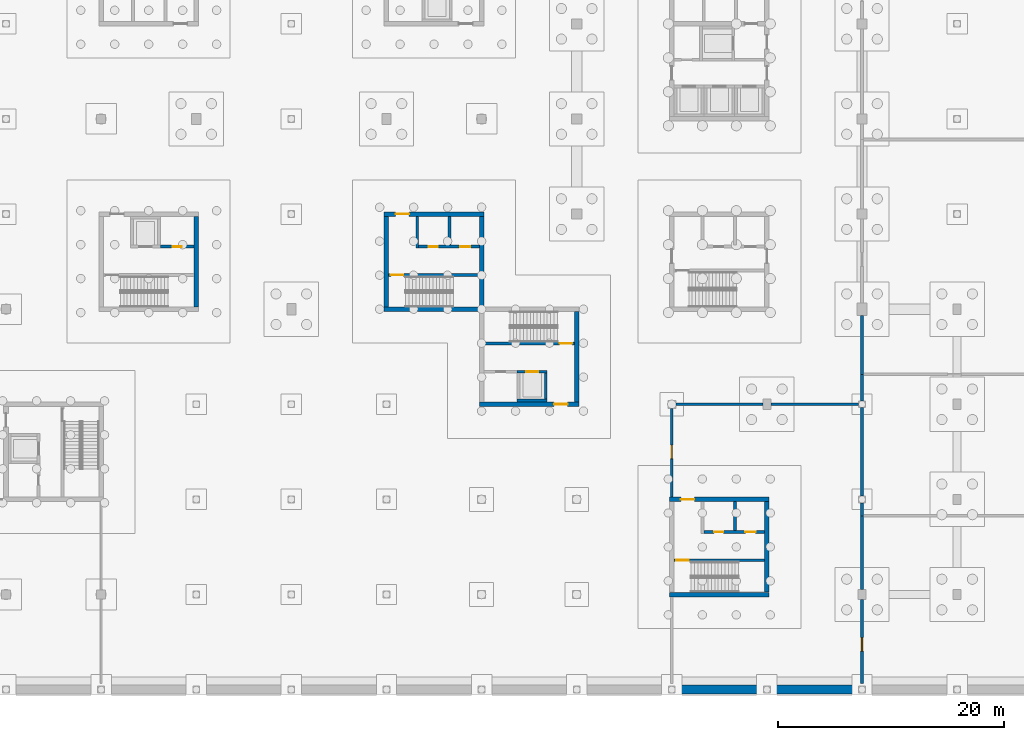
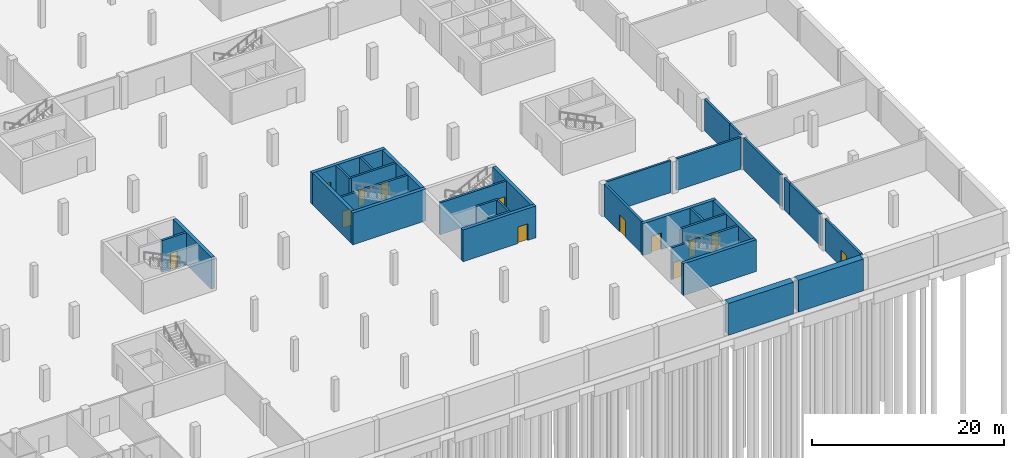
# One storey, part 12 of 23: 33 walls, 14 doors, 14 openings.
"""IFC4 building model written with IfcOpenShell, lengths in metres."""

from ifc_helpers import new_model, si_unit, direction, frame, frame_2d, origin, place, context, subcontext, project, spatial, rectangle, extrude, material, layer, layer_set, type_object, element, fill, save


model = new_model("IFC4")

# Units and contexts
model_context = context("Model", 3, precision=1e-05, world=origin(), true_north=direction((0.0, 1.0)))
body_context = subcontext(model_context, "Body", "Model", "MODEL_VIEW")
ifc_project = project(units=[si_unit("LENGTHUNIT", "METRE"), si_unit("AREAUNIT", "SQUARE_METRE"), si_unit("VOLUMEUNIT", "CUBIC_METRE"), si_unit("PLANEANGLEUNIT", "RADIAN"), si_unit("MASSUNIT", "GRAM", prefix="KILO")], contexts=[model_context])

# Site, building, storey
site_placement = place(None, origin())
site = spatial("IfcSite", under=ifc_project, at=site_placement, CompositionType="ELEMENT")
building_placement = place(site_placement, origin())
building = spatial("IfcBuilding", under=site, at=building_placement, Name="Hlaing Beacon Police Headquarters", CompositionType="ELEMENT")
storey_placement = place(building_placement, frame((0.0, 0.0, -4.5)))
storey = spatial("IfcBuildingStorey", under=building, at=storey_placement, Name="B1", CompositionType="ELEMENT", Elevation=-4.5)

# Walls
ifc_material_1 = material(Name="Concrete C60/75", Category="concrete")
ifc_layer_1 = layer(ifc_material_1, 0.39990234375)
ifc_layer_set_1 = layer_set([ifc_layer_1], Name="Concrete C60/75")
wall_type_1 = type_object("IfcWallType", Name="Core shear wall 400", PredefinedType="SHEAR", material=ifc_layer_set_1)
wall_1_placement = place(storey_placement, frame((67.199951171875, 33.800048828125, 0.0), z_axis=(0.0, 0.0, 1.0), x_axis=(0.0, 1.0, 0.0)))
element("IfcWall", 1, at=wall_1_placement, inside=storey, type_object=wall_type_1, Name="Core shear wall", PredefinedType="SHEAR", context=body_context, shape_type="SweptSolid", body=[
    extrude(rectangle(XDim=8.0, YDim=0.39990234375, at=frame_2d((4.0, 0.0))), origin(), (0.0, 0.0, 1.0), 4.050048828125),
])
wall_2_placement = place(storey_placement, frame((83.800048828125, 33.60009765625, 0.0), z_axis=(0.0, 0.0, 1.0), x_axis=(1.0, 0.0, 0.0)))
element("IfcWall", 2, at=wall_2_placement, inside=storey, type_object=wall_type_1, Name="Core shear wall", PredefinedType="SHEAR", context=body_context, shape_type="SweptSolid", body=[
    extrude(rectangle(XDim=8.800048828125, YDim=0.39990234375, at=frame_2d((4.39990234375, 0.0))), origin(), (0.0, 0.0, 1.0), 4.050048828125),
])

# Wall, opening, door
wall_3_placement = place(storey_placement, frame((83.800048828125, 42.0, 0.0), z_axis=(0.0, 0.0, 1.0), x_axis=(1.0, 0.0, 0.0)))
wall_3 = element("IfcWall", 3, at=wall_3_placement, inside=storey, type_object=wall_type_1, Name="Core shear wall", PredefinedType="SHEAR", context=body_context, shape_type="SweptSolid", body=[
    extrude(rectangle(XDim=8.800048828125, YDim=0.39990234375, at=frame_2d((4.39990234375, 0.0))), origin(), (0.0, 0.0, 1.0), 4.050048828125),
])
opening_1_placement = place(wall_3_placement, frame((1.0, 0.0, 0.0)))
opening_1 = element("IfcOpeningElement", 4, at=opening_1_placement, cuts=wall_3, Name="Opening B1-909", PredefinedType="OPENING", context=body_context, shape_type="SweptSolid", body=[
    extrude(rectangle(XDim=1.199951171875, YDim=2.10009765625, at=frame_2d((0.60009765625, 1.050048828125))), frame((0.0, 0.2099609375, 0.0), z_axis=(0.0, -1.0, 0.0), x_axis=(1.0, 0.0, 0.0)), (0.0, 0.0, 1.0), 0.419921875),
])
ifc_material_2 = material(Name="Steel fire door leaf", Category="steel")
ifc_layer_2 = layer(ifc_material_2, 0.070068359375)
ifc_layer_set_2 = layer_set([ifc_layer_2], Name="Steel fire door leaf")
door_type_1 = type_object("IfcDoorType", Name="Steel fire door FD60S 1200x2100", OperationType="SINGLE_SWING_LEFT", PredefinedType="DOOR", material=ifc_layer_set_2)
door_1_placement = place(opening_1_placement, frame((1.199951171875, 0.0, 0.0), z_axis=(0.0, 0.0, 1.0), x_axis=(-1.0, 0.0, 0.0)))
door_1 = element("IfcDoor", 5, at=door_1_placement, inside=storey, type_object=door_type_1, Name="Door Stair Lobby ST-C Entry", OperationType="SINGLE_SWING_RIGHT", OverallHeight=2.10009765625, OverallWidth=1.199951171875, PredefinedType="DOOR", context=body_context, shape_type="SweptSolid", body=[
    extrude(rectangle(XDim=1.199951171875, YDim=2.10009765625, at=frame_2d((0.599853515625, 1.050048828125))), frame((0.0, 0.034912109375, 0.0), z_axis=(0.0, -1.0, 0.0), x_axis=(1.0, 0.0, 0.0)), (0.0, 0.0, 1.0), 0.070068359375),
])
fill(opening_1, door_1)

# Walls
for number, where, z_axis, x_axis, name in (
    (6, (84.0, 33.800048828125, 0.0), (0.0, 0.0, 1.0), (0.0, 1.0, 0.0), "Core shear wall"),
    (7, (92.39990234375, 33.800048828125, 0.0), (0.0, 0.0, 1.0), (0.0, 1.0, 0.0), "Core shear wall"),
):
    element("IfcWall", number, at=place(storey_placement, frame(where, z_axis=z_axis, x_axis=x_axis)), inside=storey, type_object=wall_type_1, Name=name, PredefinedType="SHEAR", context=body_context, shape_type="SweptSolid", body=[
        extrude(rectangle(XDim=8.0, YDim=0.39990234375, at=frame_2d((4.0, 0.0))), origin(), (0.0, 0.0, 1.0), 4.050048828125),
    ])

# Wall, opening, door
wall_4_placement = place(storey_placement, frame((92.199951171875, 25.199951171875, 0.0), z_axis=(0.0, 0.0, 1.0), x_axis=(1.0, 0.0, 0.0)))
wall_4 = element("IfcWall", 8, at=wall_4_placement, inside=storey, type_object=wall_type_1, Name="Core shear wall", PredefinedType="SHEAR", context=body_context, shape_type="SweptSolid", body=[
    extrude(rectangle(XDim=8.800048828125, YDim=0.39990234375, at=frame_2d((4.39990234375, 0.0))), origin(), (0.0, 0.0, 1.0), 4.050048828125),
])
opening_2_placement = place(wall_4_placement, frame((6.60009765625, 0.0, 0.0)))
opening_2 = element("IfcOpeningElement", 9, at=opening_2_placement, cuts=wall_4, Name="Opening B1-922", PredefinedType="OPENING", context=body_context, shape_type="SweptSolid", body=[
    extrude(rectangle(XDim=1.199951171875, YDim=2.10009765625, at=frame_2d((0.60009765625, 1.050048828125))), frame((0.0, 0.2099609375, 0.0), z_axis=(0.0, -1.0, 0.0), x_axis=(1.0, 0.0, 0.0)), (0.0, 0.0, 1.0), 0.419921875),
])
door_2_placement = place(opening_2_placement, origin())
door_2 = element("IfcDoor", 10, at=door_2_placement, inside=storey, type_object=door_type_1, Name="Door Lift and Stair Lobby ST-G Entry", OperationType="SINGLE_SWING_RIGHT", OverallHeight=2.10009765625, OverallWidth=1.199951171875, PredefinedType="DOOR", context=body_context, shape_type="SweptSolid", body=[
    extrude(rectangle(XDim=1.199951171875, YDim=2.10009765625, at=frame_2d((0.60009765625, 1.050048828125))), frame((0.0, 0.03515625, 0.0), z_axis=(0.0, -1.0, 0.0), x_axis=(1.0, 0.0, 0.0)), (0.0, 0.0, 1.0), 0.070068359375),
])
fill(opening_2, door_2)

# Walls
wall_5_placement = place(storey_placement, frame((100.800048828125, 25.39990234375, 0.0), z_axis=(0.0, 0.0, 1.0), x_axis=(0.0, 1.0, 0.0)))
element("IfcWall", 11, at=wall_5_placement, inside=storey, type_object=wall_type_1, Name="Core shear wall", PredefinedType="SHEAR", context=body_context, shape_type="SweptSolid", body=[
    extrude(rectangle(XDim=8.0, YDim=0.39990234375, at=frame_2d((4.0, 0.0))), origin(), (0.0, 0.0, 1.0), 4.050048828125),
])
wall_6_placement = place(storey_placement, frame((109.0, 8.39990234375, 0.0), z_axis=(0.0, 0.0, 1.0), x_axis=(1.0, 0.0, 0.0)))
element("IfcWall", 12, at=wall_6_placement, inside=storey, type_object=wall_type_1, Name="Core shear wall", PredefinedType="SHEAR", context=body_context, shape_type="SweptSolid", body=[
    extrude(rectangle(XDim=8.800048828125, YDim=0.39990234375, at=frame_2d((4.39990234375, 0.0))), origin(), (0.0, 0.0, 1.0), 4.050048828125),
])

# Wall, opening, door
wall_7_placement = place(storey_placement, frame((109.0, 16.800048828125, 0.0), z_axis=(0.0, 0.0, 1.0), x_axis=(1.0, 0.0, 0.0)))
wall_7 = element("IfcWall", 13, at=wall_7_placement, inside=storey, type_object=wall_type_1, Name="Core shear wall", PredefinedType="SHEAR", context=body_context, shape_type="SweptSolid", body=[
    extrude(rectangle(XDim=8.800048828125, YDim=0.39990234375, at=frame_2d((4.39990234375, 0.0))), origin(), (0.0, 0.0, 1.0), 4.050048828125),
])
opening_3_placement = place(wall_7_placement, frame((1.0, 0.0, 0.0)))
opening_3 = element("IfcOpeningElement", 14, at=opening_3_placement, cuts=wall_7, Name="Opening B1-926", PredefinedType="OPENING", context=body_context, shape_type="SweptSolid", body=[
    extrude(rectangle(XDim=1.199951171875, YDim=2.10009765625, at=frame_2d((0.60009765625, 1.050048828125))), frame((0.0, 0.2099609375, 0.0), z_axis=(0.0, -1.0, 0.0), x_axis=(1.0, 0.0, 0.0)), (0.0, 0.0, 1.0), 0.419921875),
])
door_3_placement = place(opening_3_placement, frame((1.199951171875, 0.0, 0.0), z_axis=(0.0, 0.0, 1.0), x_axis=(-1.0, 0.0, 0.0)))
door_3 = element("IfcDoor", 15, at=door_3_placement, inside=storey, type_object=door_type_1, Name="Door Stair Lobby ST-H Entry", OperationType="SINGLE_SWING_RIGHT", OverallHeight=2.10009765625, OverallWidth=1.199951171875, PredefinedType="DOOR", context=body_context, shape_type="SweptSolid", body=[
    extrude(rectangle(XDim=1.199951171875, YDim=2.10009765625, at=frame_2d((0.599853515625, 1.050048828125))), frame((0.0, 0.034912109375, 0.0), z_axis=(0.0, -1.0, 0.0), x_axis=(1.0, 0.0, 0.0)), (0.0, 0.0, 1.0), 0.070068359375),
])
fill(opening_3, door_3)

# Wall
wall_8_placement = place(storey_placement, frame((117.60009765625, 8.60009765625, 0.0), z_axis=(0.0, 0.0, 1.0), x_axis=(0.0, 1.0, 0.0)))
element("IfcWall", 16, at=wall_8_placement, inside=storey, type_object=wall_type_1, Name="Core shear wall", PredefinedType="SHEAR", context=body_context, shape_type="SweptSolid", body=[
    extrude(rectangle(XDim=8.0, YDim=0.39990234375, at=frame_2d((4.0, 0.0))), origin(), (0.0, 0.0, 1.0), 4.050048828125),
])

# Wall, opening, door
ifc_material_3 = material(Name="Concrete blockwork 7.5 N/mm2", Category="masonry")
ifc_layer_3 = layer(ifc_material_3, 0.25)
ifc_layer_set_3 = layer_set([ifc_layer_3], Name="Concrete blockwork 7.5 N/mm2")
wall_type_2 = type_object("IfcWallType", Name="Plant room wall EI 120 250", PredefinedType="PARTITIONING", material=ifc_layer_set_3)
wall_9_placement = place(storey_placement, frame((126.0, 0.550048828125, 0.0), z_axis=(0.0, 0.0, 1.0), x_axis=(0.0, 1.0, 0.0)))
wall_9 = element("IfcWall", 17, at=wall_9_placement, inside=storey, type_object=wall_type_2, Name="Plant room wall EI 120 250", PredefinedType="PARTITIONING", context=body_context, shape_type="SweptSolid", body=[
    extrude(rectangle(XDim=7.39990234375, YDim=0.25, at=frame_2d((3.699951171875, 0.0))), origin(), (0.0, 0.0, 1.0), 4.050048828125),
])
opening_4_placement = place(wall_9_placement, frame((2.85009765625, 0.0, 0.0)))
opening_4 = element("IfcOpeningElement", 18, at=opening_4_placement, cuts=wall_9, Name="Opening B1-001", PredefinedType="OPENING", context=body_context, shape_type="SweptSolid", body=[
    extrude(rectangle(XDim=1.199951171875, YDim=2.10009765625, at=frame_2d((0.60009765625, 1.050048828125))), frame((0.0, 0.135009765625, 0.0), z_axis=(0.0, -1.0, 0.0), x_axis=(1.0, 0.0, 0.0)), (0.0, 0.0, 1.0), 0.27001953125),
])
ifc_material_4 = material(Name="Steel fire door leaf", Category="steel")
ifc_layer_4 = layer(ifc_material_4, 0.10009765625)
ifc_layer_set_4 = layer_set([ifc_layer_4], Name="Steel fire door leaf")
door_type_2 = type_object("IfcDoorType", Name="Steel plant door FD120 1200x2100", OperationType="SINGLE_SWING_LEFT", PredefinedType="DOOR", material=ifc_layer_set_4)
door_4_placement = place(opening_4_placement, frame((1.199951171875, 0.0, 0.0), z_axis=(0.0, 0.0, 1.0), x_axis=(-1.0, 0.0, 0.0)))
door_4 = element("IfcDoor", 19, at=door_4_placement, inside=storey, type_object=door_type_2, Name="Door Generator Room", OperationType="SINGLE_SWING_LEFT", OverallHeight=2.10009765625, OverallWidth=1.199951171875, PredefinedType="DOOR", context=body_context, shape_type="SweptSolid", body=[
    extrude(rectangle(XDim=1.199951171875, YDim=2.10009765625, at=frame_2d((0.599853515625, 1.050048828125))), frame((0.0, 0.050048828125, 0.0), z_axis=(0.0, -1.0, 0.0), x_axis=(1.0, 0.0, 0.0)), (0.0, 0.0, 1.0), 0.10009765625),
])
fill(opening_4, door_4)

# Walls
wall_10_placement = place(storey_placement, frame((126.0, 8.85009765625, 0.0), z_axis=(0.0, 0.0, 1.0), x_axis=(0.0, 1.0, 0.0)))
element("IfcWall", 20, at=wall_10_placement, inside=storey, type_object=wall_type_2, Name="Plant room wall EI 120 250", PredefinedType="PARTITIONING", context=body_context, shape_type="SweptSolid", body=[
    extrude(rectangle(XDim=6.5, YDim=0.25, at=frame_2d((3.25, 0.0))), origin(), (0.0, 0.0, 1.0), 4.050048828125),
])
wall_11_placement = place(storey_placement, frame((126.0, 15.35009765625, 0.0), z_axis=(0.0, 0.0, 1.0), x_axis=(0.0, 1.0, 0.0)))
element("IfcWall", 21, at=wall_11_placement, inside=storey, type_object=wall_type_2, Name="Plant room wall EI 120 250", PredefinedType="PARTITIONING", context=body_context, shape_type="SweptSolid", body=[
    extrude(rectangle(XDim=1.14990234375, YDim=0.25, at=frame_2d((0.574951171875, 0.0))), origin(), (0.0, 0.0, 1.0), 4.050048828125),
])
wall_12_placement = place(storey_placement, frame((126.0, 17.10009765625, 0.0), z_axis=(0.0, 0.0, 1.0), x_axis=(0.0, 1.0, 0.0)))
element("IfcWall", 22, at=wall_12_placement, inside=storey, type_object=wall_type_2, Name="Plant room wall EI 120 250", PredefinedType="PARTITIONING", context=body_context, shape_type="SweptSolid", body=[
    extrude(rectangle(XDim=7.7998046875, YDim=0.25, at=frame_2d((3.89990234375, 0.0))), origin(), (0.0, 0.0, 1.0), 4.050048828125),
])
wall_13_placement = place(storey_placement, frame((126.0, 25.5, 0.0), z_axis=(0.0, 0.0, 1.0), x_axis=(0.0, 1.0, 0.0)))
element("IfcWall", 23, at=wall_13_placement, inside=storey, type_object=wall_type_2, Name="Plant room wall EI 120 250", PredefinedType="PARTITIONING", context=body_context, shape_type="SweptSolid", body=[
    extrude(rectangle(XDim=2.35009765625, YDim=0.25, at=frame_2d((1.175048828125, 0.0))), origin(), (0.0, 0.0, 1.0), 4.050048828125),
])
wall_14_placement = place(storey_placement, frame((126.0, 27.85009765625, 0.0), z_axis=(0.0, 0.0, 1.0), x_axis=(0.0, 1.0, 0.0)))
element("IfcWall", 24, at=wall_14_placement, inside=storey, type_object=wall_type_2, Name="Plant room wall EI 120 250", PredefinedType="PARTITIONING", context=body_context, shape_type="SweptSolid", body=[
    extrude(rectangle(XDim=5.199951171875, YDim=0.25, at=frame_2d((2.60009765625, 0.0))), origin(), (0.0, 0.0, 1.0), 4.050048828125),
])

# Wall, opening, door
wall_15_placement = place(storey_placement, frame((109.199951171875, 17.0, 0.0), z_axis=(0.0, 0.0, 1.0), x_axis=(0.0, 1.0, 0.0)))
wall_15 = element("IfcWall", 25, at=wall_15_placement, inside=storey, type_object=wall_type_2, Name="Plant room wall EI 120 250", PredefinedType="PARTITIONING", context=body_context, shape_type="SweptSolid", body=[
    extrude(rectangle(XDim=7.85009765625, YDim=0.25, at=frame_2d((3.925048828125, 0.0))), origin(), (0.0, 0.0, 1.0), 4.050048828125),
])
opening_5_placement = place(wall_15_placement, frame((3.39990234375, 0.0, 0.0)))
opening_5 = element("IfcOpeningElement", 26, at=opening_5_placement, cuts=wall_15, Name="Opening B1-005", PredefinedType="OPENING", context=body_context, shape_type="SweptSolid", body=[
    extrude(rectangle(XDim=1.199951171875, YDim=2.10009765625, at=frame_2d((0.60009765625, 1.050048828125))), frame((0.0, 0.135009765625, 0.0), z_axis=(0.0, -1.0, 0.0), x_axis=(1.0, 0.0, 0.0)), (0.0, 0.0, 1.0), 0.27001953125),
])
door_5_placement = place(opening_5_placement, frame((1.199951171875, 0.0, 0.0), z_axis=(0.0, 0.0, 1.0), x_axis=(-1.0, 0.0, 0.0)))
door_5 = element("IfcDoor", 27, at=door_5_placement, inside=storey, type_object=door_type_2, Name="Door Fire Pump and Water Tank Room", OperationType="SINGLE_SWING_RIGHT", OverallHeight=2.10009765625, OverallWidth=1.199951171875, PredefinedType="DOOR", context=body_context, shape_type="SweptSolid", body=[
    extrude(rectangle(XDim=1.199951171875, YDim=2.10009765625, at=frame_2d((0.599853515625, 1.050048828125))), frame((0.0, 0.050048828125, 0.0), z_axis=(0.0, -1.0, 0.0), x_axis=(1.0, 0.0, 0.0)), (0.0, 0.0, 1.0), 0.10009765625),
])
fill(opening_5, door_5)

# Walls
wall_16_placement = place(storey_placement, frame((109.550048828125, 25.199951171875, 0.0), z_axis=(0.0, 0.0, 1.0), x_axis=(1.0, 0.0, 0.0)))
element("IfcWall", 28, at=wall_16_placement, inside=storey, type_object=wall_type_2, Name="Plant room wall EI 120 250", PredefinedType="PARTITIONING", context=body_context, shape_type="SweptSolid", body=[
    extrude(rectangle(XDim=7.699951171875, YDim=0.25, at=frame_2d((3.85009765625, 0.0))), origin(), (0.0, 0.0, 1.0), 4.050048828125),
])
wall_17_placement = place(storey_placement, frame((117.949951171875, 25.199951171875, 0.0), z_axis=(0.0, 0.0, 1.0), x_axis=(1.0, 0.0, 0.0)))
element("IfcWall", 29, at=wall_17_placement, inside=storey, type_object=wall_type_2, Name="Plant room wall EI 120 250", PredefinedType="PARTITIONING", context=body_context, shape_type="SweptSolid", body=[
    extrude(rectangle(XDim=7.75, YDim=0.25, at=frame_2d((3.875, 0.0))), origin(), (0.0, 0.0, 1.0), 4.050048828125),
])
ifc_material_5 = material(Name="Concrete C50/60", Category="concrete")
ifc_layer_5 = layer(ifc_material_5, 0.800048828125)
ifc_layer_set_5 = layer_set([ifc_layer_5], Name="Concrete C50/60")
wall_type_3 = type_object("IfcWallType", Name="Retaining wall 800", PredefinedType="SOLIDWALL", material=ifc_layer_set_5)
for number, where, z_axis, x_axis, name in (
    (30, (109.5, 0.0, 0.0), (0.0, 0.0, 1.0), (1.0, 0.0, 0.0), "STR-RW-B1-S14"),
    (31, (117.89990234375, 0.0, 0.0), (0.0, 0.0, 1.0), (1.0, 0.0, 0.0), "STR-RW-B1-S15"),
):
    element("IfcWall", number, at=place(storey_placement, frame(where, z_axis=z_axis, x_axis=x_axis)), inside=storey, type_object=wall_type_3, Name=name, PredefinedType="SOLIDWALL", context=body_context, shape_type="SweptSolid", body=[
        extrude(rectangle(XDim=7.800048828125, YDim=0.800048828125, at=frame_2d((3.89990234375, 0.0))), origin(), (0.0, 0.0, 1.0), 4.050048828125),
    ])

# Wall, opening, door
ifc_material_6 = material(Name="Concrete C40/50", Category="concrete")
ifc_layer_6 = layer(ifc_material_6, 0.25)
ifc_layer_set_6 = layer_set([ifc_layer_6], Name="Concrete C40/50")
wall_type_4 = type_object("IfcWallType", Name="Shaft wall 250", PredefinedType="SOLIDWALL", material=ifc_layer_set_6)
wall_18_placement = place(storey_placement, frame((64.050048828125, 39.125, 0.0), z_axis=(0.0, 0.0, 1.0), x_axis=(1.0, 0.0, 0.0)))
wall_18 = element("IfcWall", 32, at=wall_18_placement, inside=storey, type_object=wall_type_4, Name="Lobby wall", PredefinedType="SOLIDWALL", context=body_context, shape_type="SweptSolid", body=[
    extrude(rectangle(XDim=2.949951171875, YDim=0.25, at=frame_2d((1.47509765625, 0.0))), origin(), (0.0, 0.0, 1.0), 4.050048828125),
])
opening_6_placement = place(wall_18_placement, frame((1.074951171875, 0.0, 0.0)))
opening_6 = element("IfcOpeningElement", 33, at=opening_6_placement, cuts=wall_18, Name="Opening B1-902", PredefinedType="OPENING", context=body_context, shape_type="SweptSolid", body=[
    extrude(rectangle(XDim=0.800048828125, YDim=2.10009765625, at=frame_2d((0.39990234375, 1.050048828125))), frame((0.0, 0.135009765625, 0.0), z_axis=(0.0, -1.0, 0.0), x_axis=(1.0, 0.0, 0.0)), (0.0, 0.0, 1.0), 0.27001953125),
])
ifc_material_7 = material(Name="Steel fire door leaf", Category="steel")
ifc_layer_7 = layer(ifc_material_7, 0.070068359375)
ifc_layer_set_7 = layer_set([ifc_layer_7], Name="Steel fire door leaf")
door_type_3 = type_object("IfcDoorType", Name="Steel fire door FD60 800x2100", OperationType="SINGLE_SWING_LEFT", PredefinedType="DOOR", material=ifc_layer_set_7)
door_6_placement = place(opening_6_placement, origin())
door_6 = element("IfcDoor", 34, at=door_6_placement, inside=storey, type_object=door_type_3, Name="Door Services Riser", OperationType="SINGLE_SWING_RIGHT", OverallHeight=2.10009765625, OverallWidth=0.800048828125, PredefinedType="DOOR", context=body_context, shape_type="SweptSolid", body=[
    extrude(rectangle(XDim=0.800048828125, YDim=2.10009765625, at=frame_2d((0.39990234375, 1.050048828125))), frame((0.0, 0.03515625, 0.0), z_axis=(0.0, -1.0, 0.0), x_axis=(1.0, 0.0, 0.0)), (0.0, 0.0, 1.0), 0.070068359375),
])
fill(opening_6, door_6)

wall_19_placement = place(storey_placement, frame((84.199951171875, 36.625, 0.0), z_axis=(0.0, 0.0, 1.0), x_axis=(1.0, 0.0, 0.0)))
wall_19 = element("IfcWall", 35, at=wall_19_placement, inside=storey, type_object=wall_type_4, Name="Stair enclosure wall", PredefinedType="SOLIDWALL", context=body_context, shape_type="SweptSolid", body=[
    extrude(rectangle(XDim=8.0, YDim=0.25, at=frame_2d((4.0, 0.0))), origin(), (0.0, 0.0, 1.0), 4.050048828125),
])
opening_7_placement = place(wall_19_placement, frame((0.199951171875, 0.0, 0.0)))
opening_7 = element("IfcOpeningElement", 36, at=opening_7_placement, cuts=wall_19, Name="Opening B1-911", PredefinedType="OPENING", context=body_context, shape_type="SweptSolid", body=[
    extrude(rectangle(XDim=1.10009765625, YDim=2.10009765625, at=frame_2d((0.550048828125, 1.050048828125))), frame((0.0, 0.135009765625, 0.0), z_axis=(0.0, -1.0, 0.0), x_axis=(1.0, 0.0, 0.0)), (0.0, 0.0, 1.0), 0.27001953125),
])
ifc_material_8 = material(Name="Steel fire door leaf", Category="steel")
ifc_layer_8 = layer(ifc_material_8, 0.070068359375)
ifc_layer_set_8 = layer_set([ifc_layer_8], Name="Steel fire door leaf")
door_type_4 = type_object("IfcDoorType", Name="Steel fire door FD60 1100x2100", OperationType="SINGLE_SWING_LEFT", PredefinedType="DOOR", material=ifc_layer_set_8)
door_7_placement = place(opening_7_placement, frame((1.10009765625, 0.0, 0.0), z_axis=(0.0, 0.0, 1.0), x_axis=(-1.0, 0.0, 0.0)))
door_7 = element("IfcDoor", 37, at=door_7_placement, inside=storey, type_object=door_type_4, Name="Door Stair ST-C", OperationType="SINGLE_SWING_LEFT", OverallHeight=2.10009765625, OverallWidth=1.10009765625, PredefinedType="DOOR", context=body_context, shape_type="SweptSolid", body=[
    extrude(rectangle(XDim=1.10009765625, YDim=2.10009765625, at=frame_2d((0.550048828125, 1.050048828125))), frame((0.0, 0.034912109375, 0.0), z_axis=(0.0, -1.0, 0.0), x_axis=(1.0, 0.0, 0.0)), (0.0, 0.0, 1.0), 0.070068359375),
])
fill(opening_7, door_7)

# Wall
wall_20_placement = place(storey_placement, frame((86.72509765625, 39.0, 0.0), z_axis=(0.0, 0.0, 1.0), x_axis=(0.0, 1.0, 0.0)))
element("IfcWall", 38, at=wall_20_placement, inside=storey, type_object=wall_type_4, Name="Lobby wall", PredefinedType="SOLIDWALL", context=body_context, shape_type="SweptSolid", body=[
    extrude(rectangle(XDim=2.800048828125, YDim=0.25, at=frame_2d((1.39990234375, 0.0))), origin(), (0.0, 0.0, 1.0), 4.050048828125),
])

# Wall, openings, doors
wall_21_placement = place(storey_placement, frame((86.85009765625, 39.125, 0.0), z_axis=(0.0, 0.0, 1.0), x_axis=(1.0, 0.0, 0.0)))
wall_21 = element("IfcWall", 39, at=wall_21_placement, inside=storey, type_object=wall_type_4, Name="Lobby wall", PredefinedType="SOLIDWALL", context=body_context, shape_type="SweptSolid", body=[
    extrude(rectangle(XDim=5.349853515625, YDim=0.25, at=frame_2d((2.6748046875, 0.0))), origin(), (0.0, 0.0, 1.0), 4.050048828125),
])
opening_8_placement = place(wall_21_placement, frame((3.64990234375, 0.0, 0.0)))
opening_8 = element("IfcOpeningElement", 40, at=opening_8_placement, cuts=wall_21, Name="Opening B1-908", PredefinedType="OPENING", context=body_context, shape_type="SweptSolid", body=[
    extrude(rectangle(XDim=0.89990234375, YDim=2.10009765625, at=frame_2d((0.449951171875, 1.050048828125))), frame((0.0, 0.135009765625, 0.0), z_axis=(0.0, -1.0, 0.0), x_axis=(1.0, 0.0, 0.0)), (0.0, 0.0, 1.0), 0.27001953125),
])
opening_9_placement = place(wall_21_placement, frame((0.89990234375, 0.0, 0.0)))
opening_9 = element("IfcOpeningElement", 41, at=opening_9_placement, cuts=wall_21, Name="Opening B1-910", PredefinedType="OPENING", context=body_context, shape_type="SweptSolid", body=[
    extrude(rectangle(XDim=0.800048828125, YDim=2.10009765625, at=frame_2d((0.39990234375, 1.050048828125))), frame((0.0, 0.135009765625, 0.0), z_axis=(0.0, -1.0, 0.0), x_axis=(1.0, 0.0, 0.0)), (0.0, 0.0, 1.0), 0.27001953125),
])
door_8_placement = place(opening_9_placement, origin())
door_8 = element("IfcDoor", 42, at=door_8_placement, inside=storey, type_object=door_type_3, Name="Door Services Riser", OperationType="SINGLE_SWING_RIGHT", OverallHeight=2.10009765625, OverallWidth=0.800048828125, PredefinedType="DOOR", context=body_context, shape_type="SweptSolid", body=[
    extrude(rectangle(XDim=0.800048828125, YDim=2.10009765625, at=frame_2d((0.39990234375, 1.050048828125))), frame((0.0, 0.03515625, 0.0), z_axis=(0.0, -1.0, 0.0), x_axis=(1.0, 0.0, 0.0)), (0.0, 0.0, 1.0), 0.070068359375),
])
fill(opening_9, door_8)
ifc_material_9 = material(Name="Steel fire door leaf", Category="steel")
ifc_layer_9 = layer(ifc_material_9, 0.070068359375)
ifc_layer_set_9 = layer_set([ifc_layer_9], Name="Steel fire door leaf")
door_type_5 = type_object("IfcDoorType", Name="Steel fire door FD60 900x2100", OperationType="SINGLE_SWING_LEFT", PredefinedType="DOOR", material=ifc_layer_set_9)
door_9_placement = place(opening_8_placement, origin())
door_9 = element("IfcDoor", 43, at=door_9_placement, inside=storey, type_object=door_type_5, Name="Door Cleaners' Store", OperationType="SINGLE_SWING_LEFT", OverallHeight=2.10009765625, OverallWidth=0.89990234375, PredefinedType="DOOR", context=body_context, shape_type="SweptSolid", body=[
    extrude(rectangle(XDim=0.89990234375, YDim=2.10009765625, at=frame_2d((0.449951171875, 1.050048828125))), frame((0.0, 0.03515625, 0.0), z_axis=(0.0, -1.0, 0.0), x_axis=(1.0, 0.0, 0.0)), (0.0, 0.0, 1.0), 0.070068359375),
])
fill(opening_8, door_9)

# Wall
wall_22_placement = place(storey_placement, frame((89.574951171875, 39.25, 0.0), z_axis=(0.0, 0.0, 1.0), x_axis=(0.0, 1.0, 0.0)))
element("IfcWall", 44, at=wall_22_placement, inside=storey, type_object=wall_type_4, Name="Riser wall", PredefinedType="SOLIDWALL", context=body_context, shape_type="SweptSolid", body=[
    extrude(rectangle(XDim=2.550048828125, YDim=0.25, at=frame_2d((1.27490234375, 0.0))), origin(), (0.0, 0.0, 1.0), 4.050048828125),
])

# Wall, opening, door
wall_23_placement = place(storey_placement, frame((100.60009765625, 30.574951171875, 0.0), z_axis=(0.0, 0.0, 1.0), x_axis=(-1.0, 0.0, 0.0)))
wall_23 = element("IfcWall", 45, at=wall_23_placement, inside=storey, type_object=wall_type_4, Name="Stair enclosure wall", PredefinedType="SOLIDWALL", context=body_context, shape_type="SweptSolid", body=[
    extrude(rectangle(XDim=8.0, YDim=0.25, at=frame_2d((4.0, 0.0))), origin(), (0.0, 0.0, 1.0), 4.050048828125),
])
opening_10_placement = place(wall_23_placement, frame((0.199951171875, 0.0, 0.0)))
opening_10 = element("IfcOpeningElement", 46, at=opening_10_placement, cuts=wall_23, Name="Opening B1-924", PredefinedType="OPENING", context=body_context, shape_type="SweptSolid", body=[
    extrude(rectangle(XDim=1.10009765625, YDim=2.10009765625, at=frame_2d((0.550048828125, 1.050048828125))), frame((0.0, 0.135009765625, 0.0), z_axis=(0.0, -1.0, 0.0), x_axis=(1.0, 0.0, 0.0)), (0.0, 0.0, 1.0), 0.27001953125),
])
door_10_placement = place(opening_10_placement, frame((1.10009765625, 0.0, 0.0), z_axis=(0.0, 0.0, 1.0), x_axis=(-1.0, 0.0, 0.0)))
door_10 = element("IfcDoor", 47, at=door_10_placement, inside=storey, type_object=door_type_4, Name="Door Stair ST-G", OperationType="SINGLE_SWING_LEFT", OverallHeight=2.10009765625, OverallWidth=1.10009765625, PredefinedType="DOOR", context=body_context, shape_type="SweptSolid", body=[
    extrude(rectangle(XDim=1.10009765625, YDim=2.10009765625, at=frame_2d((0.550048828125, 1.050048828125))), frame((0.0, 0.034912109375, 0.0), z_axis=(0.0, -1.0, 0.0), x_axis=(1.0, 0.0, 0.0)), (0.0, 0.0, 1.0), 0.070068359375),
])
fill(opening_10, door_10)

wall_24_placement = place(storey_placement, frame((109.39990234375, 11.425048828125, 0.0), z_axis=(0.0, 0.0, 1.0), x_axis=(1.0, 0.0, 0.0)))
wall_24 = element("IfcWall", 48, at=wall_24_placement, inside=storey, type_object=wall_type_4, Name="Stair enclosure wall", PredefinedType="SOLIDWALL", context=body_context, shape_type="SweptSolid", body=[
    extrude(rectangle(XDim=8.0, YDim=0.25, at=frame_2d((4.0, 0.0))), origin(), (0.0, 0.0, 1.0), 4.050048828125),
])
opening_11_placement = place(wall_24_placement, frame((0.199951171875, 0.0, 0.0)))
opening_11 = element("IfcOpeningElement", 49, at=opening_11_placement, cuts=wall_24, Name="Opening B1-928", PredefinedType="OPENING", context=body_context, shape_type="SweptSolid", body=[
    extrude(rectangle(XDim=1.10009765625, YDim=2.10009765625, at=frame_2d((0.550048828125, 1.050048828125))), frame((0.0, 0.135009765625, 0.0), z_axis=(0.0, -1.0, 0.0), x_axis=(1.0, 0.0, 0.0)), (0.0, 0.0, 1.0), 0.27001953125),
])
door_11_placement = place(opening_11_placement, frame((1.10009765625, 0.0, 0.0), z_axis=(0.0, 0.0, 1.0), x_axis=(-1.0, 0.0, 0.0)))
door_11 = element("IfcDoor", 50, at=door_11_placement, inside=storey, type_object=door_type_4, Name="Door Stair ST-H", OperationType="SINGLE_SWING_LEFT", OverallHeight=2.10009765625, OverallWidth=1.10009765625, PredefinedType="DOOR", context=body_context, shape_type="SweptSolid", body=[
    extrude(rectangle(XDim=1.10009765625, YDim=2.10009765625, at=frame_2d((0.550048828125, 1.050048828125))), frame((0.0, 0.034912109375, 0.0), z_axis=(0.0, -1.0, 0.0), x_axis=(1.0, 0.0, 0.0)), (0.0, 0.0, 1.0), 0.070068359375),
])
fill(opening_11, door_11)

# Wall, openings, doors
wall_25_placement = place(storey_placement, frame((112.050048828125, 13.925048828125, 0.0), z_axis=(0.0, 0.0, 1.0), x_axis=(1.0, 0.0, 0.0)))
wall_25 = element("IfcWall", 51, at=wall_25_placement, inside=storey, type_object=wall_type_4, Name="Lobby wall", PredefinedType="SOLIDWALL", context=body_context, shape_type="SweptSolid", body=[
    extrude(rectangle(XDim=5.349853515625, YDim=0.25, at=frame_2d((2.6748046875, 0.0))), origin(), (0.0, 0.0, 1.0), 4.050048828125),
])
opening_12_placement = place(wall_25_placement, frame((3.64990234375, 0.0, 0.0)))
opening_12 = element("IfcOpeningElement", 52, at=opening_12_placement, cuts=wall_25, Name="Opening B1-925", PredefinedType="OPENING", context=body_context, shape_type="SweptSolid", body=[
    extrude(rectangle(XDim=0.89990234375, YDim=2.10009765625, at=frame_2d((0.449951171875, 1.050048828125))), frame((0.0, 0.135009765625, 0.0), z_axis=(0.0, -1.0, 0.0), x_axis=(1.0, 0.0, 0.0)), (0.0, 0.0, 1.0), 0.27001953125),
])
opening_13_placement = place(wall_25_placement, frame((0.89990234375, 0.0, 0.0)))
opening_13 = element("IfcOpeningElement", 53, at=opening_13_placement, cuts=wall_25, Name="Opening B1-927", PredefinedType="OPENING", context=body_context, shape_type="SweptSolid", body=[
    extrude(rectangle(XDim=0.800048828125, YDim=2.10009765625, at=frame_2d((0.39990234375, 1.050048828125))), frame((0.0, 0.135009765625, 0.0), z_axis=(0.0, -1.0, 0.0), x_axis=(1.0, 0.0, 0.0)), (0.0, 0.0, 1.0), 0.27001953125),
])
door_12_placement = place(opening_13_placement, origin())
door_12 = element("IfcDoor", 54, at=door_12_placement, inside=storey, type_object=door_type_3, Name="Door Services Riser", OperationType="SINGLE_SWING_RIGHT", OverallHeight=2.10009765625, OverallWidth=0.800048828125, PredefinedType="DOOR", context=body_context, shape_type="SweptSolid", body=[
    extrude(rectangle(XDim=0.800048828125, YDim=2.10009765625, at=frame_2d((0.39990234375, 1.050048828125))), frame((0.0, 0.03515625, 0.0), z_axis=(0.0, -1.0, 0.0), x_axis=(1.0, 0.0, 0.0)), (0.0, 0.0, 1.0), 0.070068359375),
])
fill(opening_13, door_12)
door_13_placement = place(opening_12_placement, origin())
door_13 = element("IfcDoor", 55, at=door_13_placement, inside=storey, type_object=door_type_5, Name="Door Cleaners' Store", OperationType="SINGLE_SWING_LEFT", OverallHeight=2.10009765625, OverallWidth=0.89990234375, PredefinedType="DOOR", context=body_context, shape_type="SweptSolid", body=[
    extrude(rectangle(XDim=0.89990234375, YDim=2.10009765625, at=frame_2d((0.449951171875, 1.050048828125))), frame((0.0, 0.03515625, 0.0), z_axis=(0.0, -1.0, 0.0), x_axis=(1.0, 0.0, 0.0)), (0.0, 0.0, 1.0), 0.070068359375),
])
fill(opening_12, door_13)

# Walls
wall_26_placement = place(storey_placement, frame((114.77490234375, 14.050048828125, 0.0), z_axis=(0.0, 0.0, 1.0), x_axis=(0.0, 1.0, 0.0)))
element("IfcWall", 56, at=wall_26_placement, inside=storey, type_object=wall_type_4, Name="Riser wall", PredefinedType="SOLIDWALL", context=body_context, shape_type="SweptSolid", body=[
    extrude(rectangle(XDim=2.550048828125, YDim=0.25, at=frame_2d((1.27490234375, 0.0))), origin(), (0.0, 0.0, 1.0), 4.050048828125),
])
wall_27_placement = place(storey_placement, frame((98.074951171875, 25.64990234375, 0.0), z_axis=(0.0, 0.0, 1.0), x_axis=(0.0, 1.0, 0.0)))
element("IfcWall", 57, at=wall_27_placement, inside=storey, type_object=wall_type_4, Name="Lift shaft wall PL4", PredefinedType="SOLIDWALL", context=body_context, shape_type="SweptSolid", body=[
    extrude(rectangle(XDim=2.300048828125, YDim=0.25, at=frame_2d((1.14990234375, 0.0))), origin(), (0.0, 0.0, 1.0), 4.050048828125),
])

# Wall, opening, door
wall_28_placement = place(storey_placement, frame((95.550048828125, 28.074951171875, 0.0), z_axis=(0.0, 0.0, 1.0), x_axis=(1.0, 0.0, 0.0)))
wall_28 = element("IfcWall", 58, at=wall_28_placement, inside=storey, type_object=wall_type_4, Name="Lift shaft wall PL4", PredefinedType="SOLIDWALL", context=body_context, shape_type="SweptSolid", body=[
    extrude(rectangle(XDim=2.64990234375, YDim=0.25, at=frame_2d((1.324951171875, 0.0))), origin(), (0.0, 0.0, 1.0), 4.050048828125),
])
opening_14_placement = place(wall_28_placement, frame((0.77490234375, 0.0, 0.0)))
opening_14 = element("IfcOpeningElement", 59, at=opening_14_placement, cuts=wall_28, Name="Opening LD-PL4-B1", PredefinedType="OPENING", context=body_context, shape_type="SweptSolid", body=[
    extrude(rectangle(XDim=1.10009765625, YDim=2.10009765625, at=frame_2d((0.550048828125, 1.050048828125))), frame((0.0, 0.135009765625, 0.0), z_axis=(0.0, -1.0, 0.0), x_axis=(1.0, 0.0, 0.0)), (0.0, 0.0, 1.0), 0.27001953125),
])
ifc_material_10 = material(Name="Stainless steel lift landing door", Category="steel")
ifc_layer_10 = layer(ifc_material_10, 0.06005859375)
ifc_layer_set_10 = layer_set([ifc_layer_10], Name="Stainless steel lift landing door")
door_type_6 = type_object("IfcDoorType", Name="Lift landing door 1100x2100", OperationType="DOUBLE_DOOR_SLIDING", PredefinedType="DOOR", material=ifc_layer_set_10)
door_14_placement = place(opening_14_placement, origin())
door_14 = element("IfcDoor", 60, at=door_14_placement, inside=storey, type_object=door_type_6, Name="Landing door PL4 B1", OperationType="DOUBLE_DOOR_SLIDING", OverallHeight=2.10009765625, OverallWidth=1.10009765625, PredefinedType="DOOR", context=body_context, shape_type="SweptSolid", body=[
    extrude(rectangle(XDim=1.10009765625, YDim=2.10009765625, at=frame_2d((0.550048828125, 1.050048828125))), frame((0.0, 0.0400390625, 0.0), z_axis=(0.0, -1.0, 0.0), x_axis=(1.0, 0.0, 0.0)), (0.0, 0.0, 1.0), 0.080078125),
])
fill(opening_14, door_14)

# Wall
wall_29_placement = place(storey_placement, frame((95.550048828125, 25.52490234375, 0.0), z_axis=(0.0, 0.0, 1.0), x_axis=(1.0, 0.0, 0.0)))
element("IfcWall", 61, at=wall_29_placement, inside=storey, type_object=wall_type_4, Name="Lift shaft wall PL4", PredefinedType="SOLIDWALL", context=body_context, shape_type="SweptSolid", body=[
    extrude(rectangle(XDim=2.64990234375, YDim=0.25, at=frame_2d((1.324951171875, 0.0))), origin(), (0.0, 0.0, 1.0), 4.050048828125),
])

save(model, "model.ifc")
